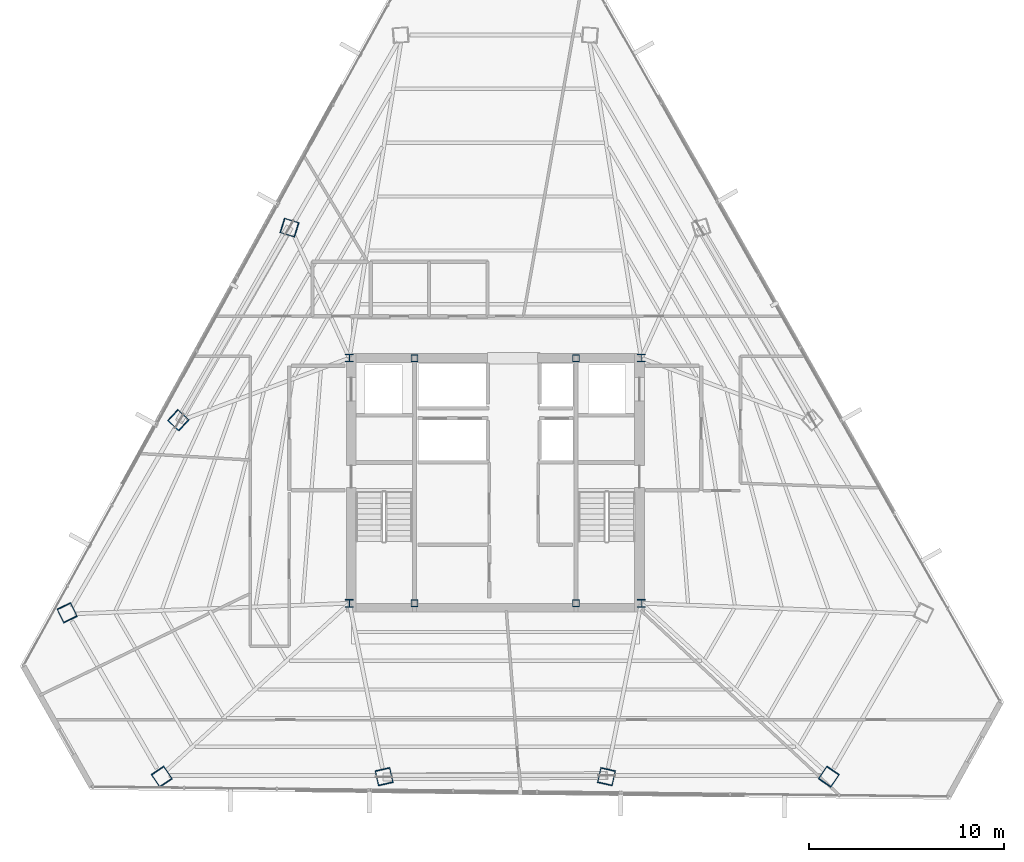
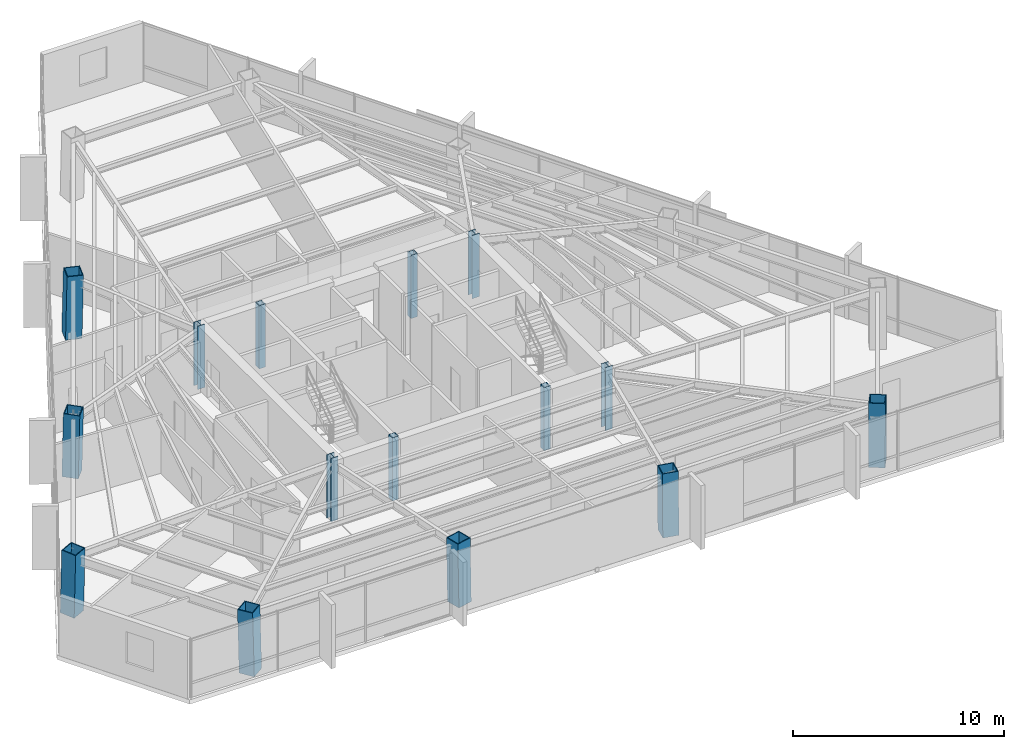
# One storey, part 1 of 40: 15 columns.
"""IFC4 building model written with IfcOpenShell, lengths in metres."""

from ifc_helpers import new_model, si_unit, direction, frame, origin, origin_2d, place, context, subcontext, project, spatial, hollow_rectangle, i_section, extrude, source, transform, mapped, material, material_profile, profile_set, type_object, type_shapes, element, save


model = new_model("IFC4")

# Units and contexts
model_context = context("Model", 3, precision=1e-05, world=origin(), true_north=direction((0.0, 1.0)))
body_context = subcontext(model_context, "Body", "Model", "MODEL_VIEW")
ifc_project = project(units=[si_unit("LENGTHUNIT", "METRE"), si_unit("AREAUNIT", "SQUARE_METRE"), si_unit("VOLUMEUNIT", "CUBIC_METRE"), si_unit("PLANEANGLEUNIT", "RADIAN"), si_unit("MASSUNIT", "GRAM", prefix="KILO")], contexts=[model_context])

# Site, building, storey
site_placement = place(None, origin())
site = spatial("IfcSite", under=ifc_project, at=site_placement, CompositionType="ELEMENT")
building_placement = place(site_placement, origin())
building = spatial("IfcBuilding", under=site, at=building_placement, Name="Caelisora Broadcast Tower", CompositionType="ELEMENT")
storey_placement = place(building_placement, frame((0.0, 0.0, 213.25)))
storey = spatial("IfcBuildingStorey", under=building, at=storey_placement, Name="L56", CompositionType="ELEMENT", Elevation=213.25)

# Columns
ifc_material_1 = material(Name="Steel Grade 350 (AS/NZS 3679.2)", Category="steel")
ifc_material_profile_1 = material_profile(ifc_material_1, i_section(OverallWidth=0.39990234375, OverallDepth=0.39990234375, WebThickness=0.02001953125, FlangeThickness=0.031982421875, at=origin_2d()), Name="Steel Grade 350 (AS/NZS 3679.2)")
ifc_profile_set_1 = profile_set([ifc_material_profile_1], Name="Steel Grade 350 (AS/NZS 3679.2)")
column_type_1 = type_object("IfcColumnType", Name="CC02", PredefinedType="COLUMN", material=ifc_profile_set_1)
shared_shape_1 = source(origin(), body_context, "Body", "SweptSolid", [
    extrude(i_section(OverallWidth=0.39990234375, OverallDepth=0.39990234375, WebThickness=0.02001953125, FlangeThickness=0.031982421875, at=origin_2d()), origin(), (0.0, 0.0, 1.0), 3.64990234375),
])
type_shapes(column_type_1, [shared_shape_1])
for number, where, z_axis, x_axis, name in (
    (1, (30.5, 17.39990234375, 0.0), (0.0, 0.0, 1.0), (1.0, 0.0, 0.0), "L56 column CC02"),
    (2, (45.5, 17.39990234375, 0.0), (0.0, 0.0, 1.0), (1.0, 0.0, 0.0), "L56 column CC02"),
    (3, (45.5, 30.0, 0.0), (0.0, 0.0, 1.0), (1.0, 0.0, 0.0), "L56 column CC02"),
    (4, (30.5, 30.0, 0.0), (0.0, 0.0, 1.0), (1.0, 0.0, 0.0), "L56 column CC02"),
):
    element("IfcColumn", number, at=place(storey_placement, frame(where, z_axis=z_axis, x_axis=x_axis)), inside=storey, type_object=column_type_1, Name=name, PredefinedType="COLUMN", context=body_context, shape_type="MappedRepresentation", body=[
        mapped(shared_shape_1, transform((0.0, 0.0, 0.0), scale=1.0)),
    ])
ifc_material_2 = material(Name="Steel Grade 350 (AS/NZS 1163 C350L0)", Category="steel")
ifc_material_profile_2 = material_profile(ifc_material_2, hollow_rectangle(XDim=0.35009765625, YDim=0.35009765625, WallThickness=0.01611328125, at=origin_2d()), Name="Steel Grade 350 (AS/NZS 1163 C350L0)")
ifc_profile_set_2 = profile_set([ifc_material_profile_2], Name="Steel Grade 350 (AS/NZS 1163 C350L0)")
column_type_2 = type_object("IfcColumnType", Name="CC07", PredefinedType="COLUMN", material=ifc_profile_set_2)
shared_shape_2 = source(origin(), body_context, "Body", "SweptSolid", [
    extrude(hollow_rectangle(XDim=0.35009765625, YDim=0.35009765625, WallThickness=0.01611328125, at=origin_2d()), origin(), (0.0, 0.0, 1.0), 3.64990234375),
])
type_shapes(column_type_2, [shared_shape_2])
for number, where, z_axis, x_axis, name in (
    (5, (33.85009765625, 17.39990234375, 0.0), (0.0, 0.0, 1.0), (1.0, 0.0, 0.0), "L56 column CC07"),
    (6, (42.14990234375, 17.39990234375, 0.0), (0.0, 0.0, 1.0), (1.0, 0.0, 0.0), "L56 column CC07"),
    (7, (33.85009765625, 30.0, 0.0), (0.0, 0.0, 1.0), (1.0, 0.0, 0.0), "L56 column CC07"),
    (8, (42.14990234375, 30.0, 0.0), (0.0, 0.0, 1.0), (1.0, 0.0, 0.0), "L56 column CC07"),
):
    element("IfcColumn", number, at=place(storey_placement, frame(where, z_axis=z_axis, x_axis=x_axis)), inside=storey, type_object=column_type_2, Name=name, PredefinedType="COLUMN", context=body_context, shape_type="MappedRepresentation", body=[
        mapped(shared_shape_2, transform((0.0, 0.0, 0.0), scale=1.0)),
    ])
ifc_material_3 = material(Name="Steel Grade 350 L15 (AS/NZS 3678)", Category="steel")
ifc_material_profile_3 = material_profile(ifc_material_3, hollow_rectangle(XDim=0.800048828125, YDim=0.800048828125, WallThickness=0.044921875, at=origin_2d()), Name="Steel Grade 350 L15 (AS/NZS 3678)")
ifc_profile_set_3 = profile_set([ifc_material_profile_3], Name="Steel Grade 350 L15 (AS/NZS 3678)")
column_type_3 = type_object("IfcColumnType", Name="MC05", PredefinedType="COLUMN", material=ifc_profile_set_3)
shared_shape_3 = source(origin(), body_context, "Body", "SweptSolid", [
    extrude(hollow_rectangle(XDim=0.800048828125, YDim=0.800048828125, WallThickness=0.044921875, at=origin_2d()), origin(), (0.0, 0.0, 1.0), 3.65087890625),
])
for number, where, z_axis, x_axis, name in (
    (9, (15.990478515625, 16.924072265625, 0.0), (0.010431780378, -0.021599135014, 0.999712286273), (0.900476348161, 0.434904985489, 0.0), "L56 column MC05"),
    (10, (20.8671875, 8.477294921875, 0.0), (-0.013440967269, 0.019793663242, 0.999713734673), (-0.827290216258, -0.561774775229, 0.0), "L56 column MC05"),
    (11, (55.1328125, 8.477294921875, 0.0), (0.013440967269, 0.019793663242, 0.999713734673), (-0.827290216258, 0.561774775229, 0.0), "L56 column MC05"),
):
    element("IfcColumn", number, at=place(storey_placement, frame(where, z_axis=z_axis, x_axis=x_axis)), inside=storey, type_object=column_type_3, Name=name, PredefinedType="COLUMN", context=body_context, shape_type="MappedRepresentation", body=[
        mapped(shared_shape_3, transform((0.0, 0.0, 0.0), scale=1.0)),
    ])
shared_shape_4 = source(origin(), body_context, "Body", "SweptSolid", [
    extrude(hollow_rectangle(XDim=0.800048828125, YDim=0.800048828125, WallThickness=0.044921875, at=origin_2d()), origin(), (0.0, 0.0, 1.0), 3.650634765625),
])
type_shapes(column_type_3, [shared_shape_3, shared_shape_4])
for number, where, z_axis, x_axis, name in (
    (12, (27.412353515625, 36.707275390625, 0.0), (0.019393993486, -0.006018825565, 0.999793802119), (0.296399214872, 0.955064136811, 0.0), "L56 column MC05"),
    (13, (21.701416015625, 26.815673828125, 0.0), (0.014913313399, -0.013776424037, 0.999793880369), (0.678553674548, 0.734550822447, 0.0), "L56 column MC05"),
    (14, (32.2890625, 8.477294921875, 0.0), (-0.004480682206, 0.019795252729, 0.999794014513), (-0.975326687046, -0.220766513622, 0.0), "L56 column MC05"),
    (15, (43.7109375, 8.477294921875, 0.0), (0.004480682206, 0.019795252729, 0.999794014513), (-0.975326687046, 0.220766513622, 0.0), "L56 column MC05"),
):
    element("IfcColumn", number, at=place(storey_placement, frame(where, z_axis=z_axis, x_axis=x_axis)), inside=storey, type_object=column_type_3, Name=name, PredefinedType="COLUMN", context=body_context, shape_type="MappedRepresentation", body=[
        mapped(shared_shape_4, transform((0.0, 0.0, 0.0), scale=1.0)),
    ])

save(model, "model.ifc")
